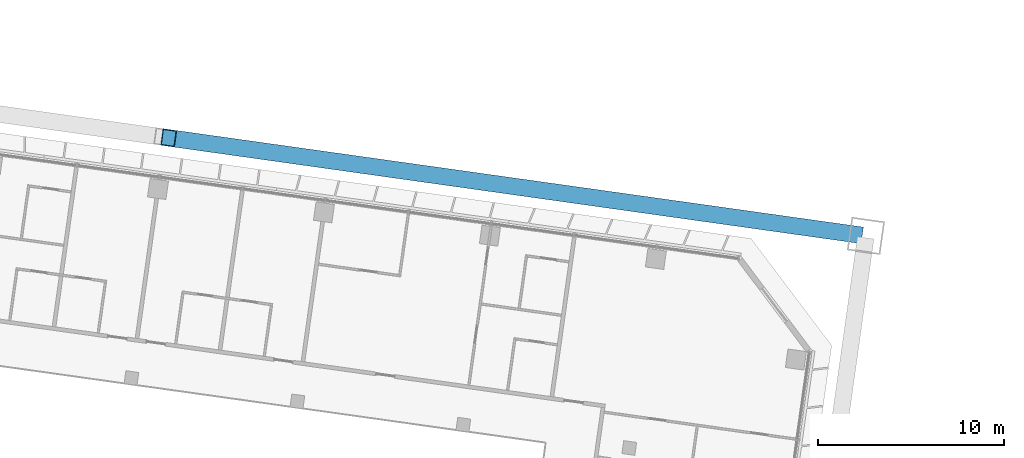
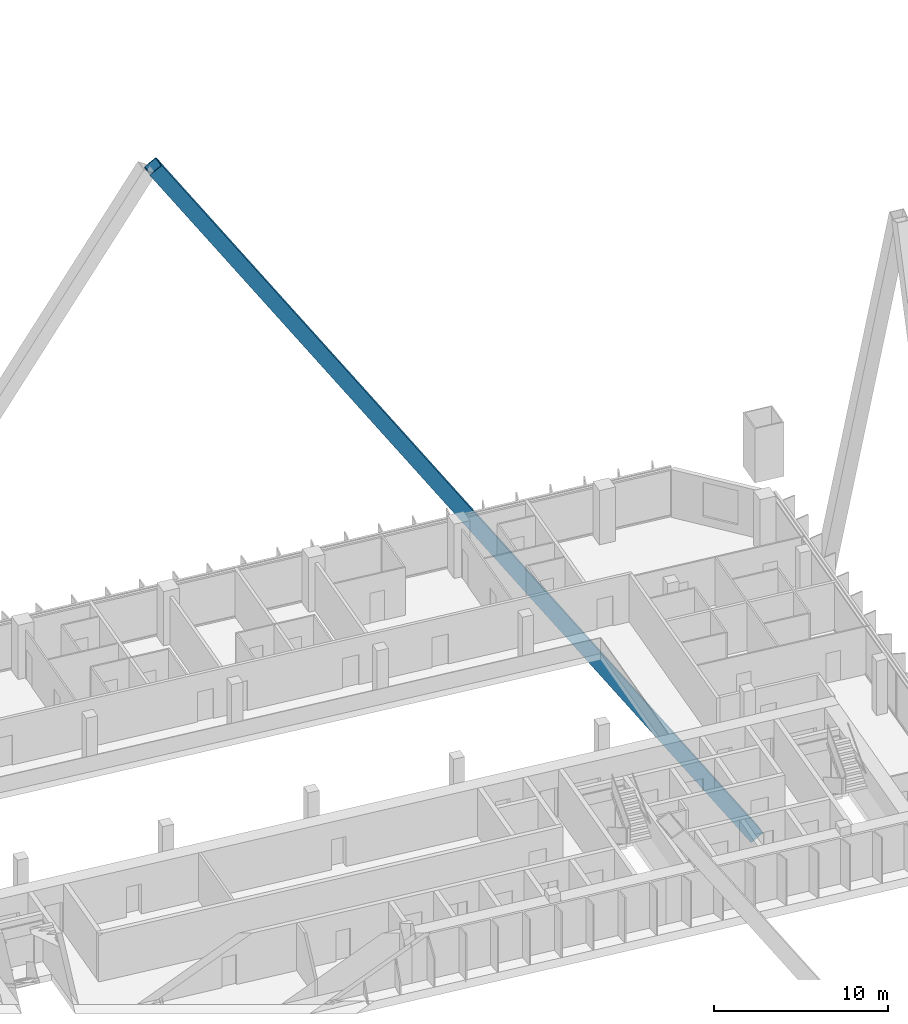
# One storey, part 13 of 49: 1 member.
"""IFC4 building model written with IfcOpenShell, lengths in metres."""

from ifc_helpers import new_model, si_unit, direction, frame, origin, origin_2d, place, context, subcontext, project, spatial, hollow_rectangle, extrude, material, material_profile, profile_set, type_object, element, save


model = new_model("IFC4")

# Units and contexts
model_context = context("Model", 3, precision=1e-05, world=origin(), true_north=direction((0.0, 1.0)))
body_context = subcontext(model_context, "Body", "Model", "MODEL_VIEW")
ifc_project = project(units=[si_unit("LENGTHUNIT", "METRE"), si_unit("AREAUNIT", "SQUARE_METRE"), si_unit("VOLUMEUNIT", "CUBIC_METRE"), si_unit("PLANEANGLEUNIT", "RADIAN"), si_unit("MASSUNIT", "GRAM", prefix="KILO")], contexts=[model_context])

# Site, building, storey
site_placement = place(None, origin())
site = spatial("IfcSite", under=ifc_project, at=site_placement, CompositionType="ELEMENT")
building_placement = place(site_placement, origin())
building = spatial("IfcBuilding", under=site, at=building_placement, Name="Mirante Cascada Hotel Towers", CompositionType="ELEMENT")
storey_placement = place(building_placement, frame((0.0, 0.0, 66.1)))
storey = spatial("IfcBuildingStorey", under=building, at=storey_placement, Name="L13", CompositionType="ELEMENT", Elevation=66.1)

# Member
ifc_material = material(Name="Steel ASTM A572 Gr 50", Category="steel")
ifc_material_profile = material_profile(ifc_material, hollow_rectangle(XDim=0.9, YDim=0.9, WallThickness=0.045, at=origin_2d()), Name="Box brace 900x900x45 ASTM A572 Gr 50")
ifc_profile_set = profile_set([ifc_material_profile], Name="Steel ASTM A572 Gr 50")
member_type = type_object("IfcMemberType", Name="Box brace 900x900x45 ASTM A572 Gr 50", PredefinedType="BRACE", material=ifc_profile_set)
member_placement = place(storey_placement, frame((-25.6654, 18.5972, -25.2549), z_axis=(-0.5445943, 0.0765374, 0.8352), x_axis=(-0.1391725, -0.9902681, 0.0)))
element("IfcMember", 1, at=member_placement, inside=storey, type_object=member_type, Name="brace T1 L13 1", PredefinedType="BRACE", context=body_context, shape_type="SweptSolid", body=[
    extrude(hollow_rectangle(XDim=0.9, YDim=0.9, WallThickness=0.045, at=origin_2d()), origin(), (0.0, 0.0, 1.0), 67.7172),
])

save(model, "model.ifc")
